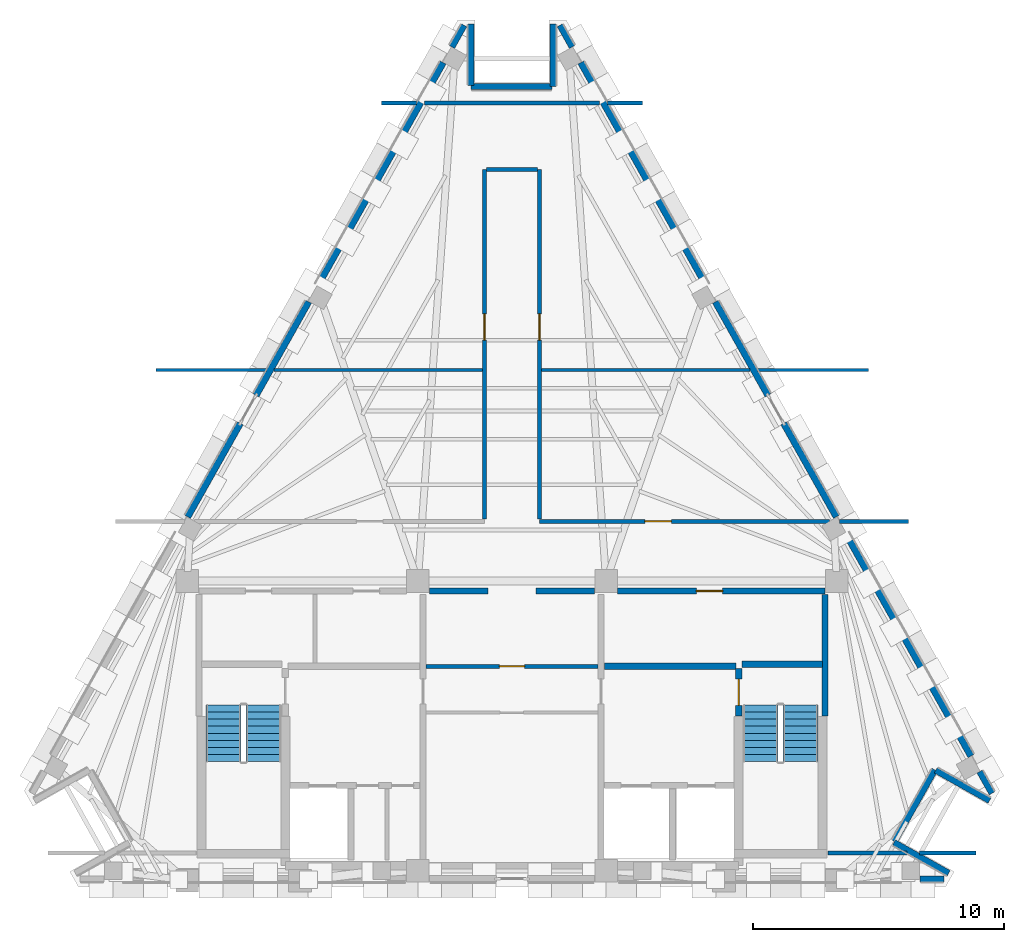
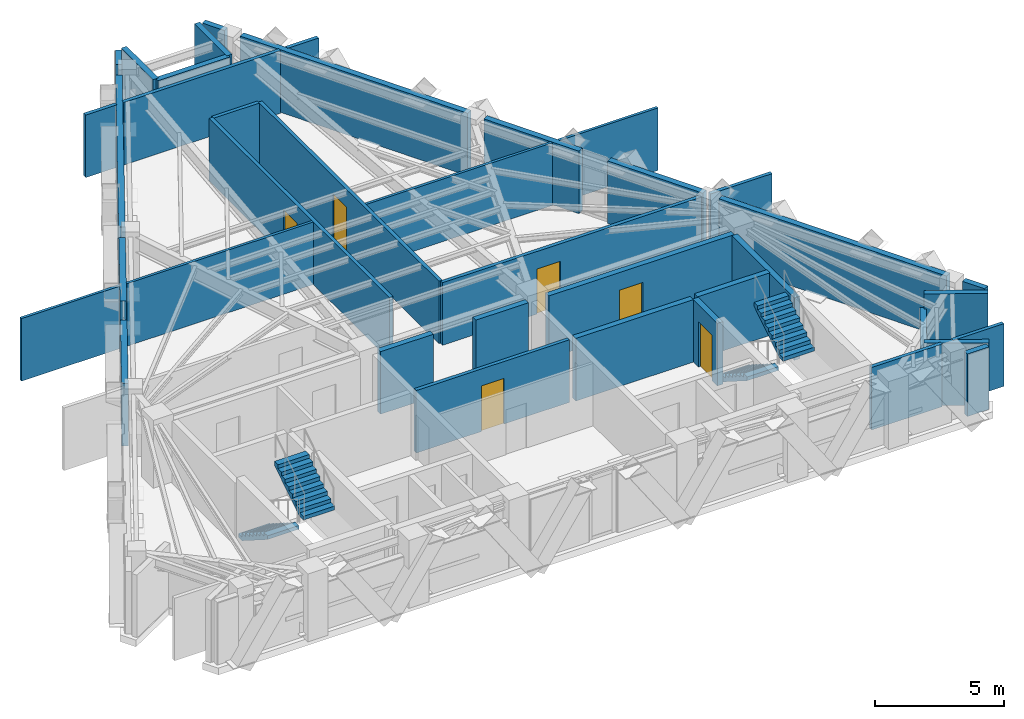
# One storey, part 5 of 7: 39 walls, 6 doors, 4 stair flights, 6 openings, 2 elements without a shape of their own.
"""IFC4 building model written with IfcOpenShell, lengths in metres."""

from ifc_helpers import new_model, si_unit, direction, frame, frame_2d, origin, place, context, subcontext, project, spatial, polyline, rectangle, outline, extrude, material, layer, layer_set, type_object, element, fill, aggregate, save


model = new_model("IFC4")

# Units and contexts
model_context = context("Model", 3, precision=1e-05, world=origin(), true_north=direction((0.0, 1.0)))
body_context = subcontext(model_context, "Body", "Model", "MODEL_VIEW")
ifc_project = project(units=[si_unit("LENGTHUNIT", "METRE"), si_unit("AREAUNIT", "SQUARE_METRE"), si_unit("VOLUMEUNIT", "CUBIC_METRE"), si_unit("PLANEANGLEUNIT", "RADIAN"), si_unit("MASSUNIT", "GRAM", prefix="KILO")], contexts=[model_context])

# Site, building, storey
site_placement = place(None, origin())
site = spatial("IfcSite", under=ifc_project, at=site_placement, CompositionType="ELEMENT")
building_placement = place(site_placement, origin())
building = spatial("IfcBuilding", under=site, at=building_placement, Name="Quenlor Broadcast Tower", CompositionType="ELEMENT")
storey_placement = place(building_placement, frame((0.0, 0.0, 280.5)))
storey = spatial("IfcBuildingStorey", under=building, at=storey_placement, Name="L78", CompositionType="ELEMENT", Elevation=280.5)

# Wall, opening, door
ifc_material_1 = material(Name="Concrete C40/50", Category="concrete")
ifc_layer_1 = layer(ifc_material_1, 0.25)
ifc_layer_set_1 = layer_set([ifc_layer_1], Name="Fire Rated Concrete C40/50 Core Wall 250")
wall_type_1 = type_object("IfcWallType", Name="Fire Rated Concrete C40/50 Core Wall 250", PredefinedType="PARTITIONING", material=ifc_layer_set_1)
wall_1_placement = place(storey_placement, frame((9.0400390625, -10.179931640625, 0.0), z_axis=(0.0, 0.0, 1.0), x_axis=(0.0, 1.0, 0.0)))
wall_1 = element("IfcWall", 1, at=wall_1_placement, inside=storey, type_object=wall_type_1, Name="L78 Interior Wall CW-ST2-DR", PredefinedType="PARTITIONING", context=body_context, shape_type="SweptSolid", body=[
    extrude(rectangle(XDim=1.89990234375, YDim=0.25, at=frame_2d((0.949951171875, 0.0))), origin(), (0.0, 0.0, 1.0), 2.949951171875),
])
opening_1_placement = place(wall_1_placement, frame((0.419921875, 0.0, 0.0)))
opening_1 = element("IfcOpeningElement", 2, at=opening_1_placement, cuts=wall_1, Name="Opening FD-1", PredefinedType="OPENING", context=body_context, shape_type="SweptSolid", body=[
    extrude(rectangle(XDim=1.050048828125, YDim=2.14990234375, at=frame_2d((0.52490234375, 1.074951171875))), frame((0.0, 0.135009765625, 0.0), z_axis=(0.0, -1.0, 0.0), x_axis=(1.0, 0.0, 0.0)), (0.0, 0.0, 1.0), 0.27001953125),
])
ifc_material_2 = material(Name="Fire Rated Steel Door Leaf", Category="steel")
door_type_1 = type_object("IfcDoorType", Name="Fire Isolated Stair Door 1050x2150", OperationType="NOTDEFINED", PredefinedType="DOOR", material=ifc_material_2)
door_1_placement = place(opening_1_placement, origin())
door_1 = element("IfcDoor", 3, at=door_1_placement, inside=storey, type_object=door_type_1, Name="L78 Door DR-ST2", OperationType="SINGLE_SWING_RIGHT", OverallHeight=2.14990234375, OverallWidth=1.050048828125, PredefinedType="DOOR", context=body_context, shape_type="SweptSolid", body=[
    extrude(rectangle(XDim=1.050048828125, YDim=2.14990234375, at=frame_2d((0.52490234375, 1.074951171875))), frame((0.0, 0.02490234375, 0.0), z_axis=(0.0, -1.0, 0.0), x_axis=(1.0, 0.0, 0.0)), (0.0, 0.0, 1.0), 0.050048828125),
])
fill(opening_1, door_1)

# Walls
wall_2_placement = place(storey_placement, frame((9.159912109375, -8.1201171875, 0.0), z_axis=(0.0, 0.0, 1.0), x_axis=(1.0, 0.0, 0.0)))
element("IfcWall", 4, at=wall_2_placement, inside=storey, type_object=wall_type_1, Name="L78 Interior Wall CW-ST2-N", PredefinedType="PARTITIONING", context=body_context, shape_type="SweptSolid", body=[
    extrude(rectangle(XDim=3.219970703125, YDim=0.25, at=frame_2d((1.60986328125, 0.0))), origin(), (0.0, 0.0, 1.0), 2.949951171875),
])
wall_3_placement = place(storey_placement, frame((12.47998046875, -10.179931640625, 0.0), z_axis=(0.0, 0.0, 1.0), x_axis=(0.0, 1.0, 0.0)))
element("IfcWall", 5, at=wall_3_placement, inside=storey, type_object=wall_type_1, Name="L78 Interior Wall CW-ST2-E2", PredefinedType="PARTITIONING", context=body_context, shape_type="SweptSolid", body=[
    extrude(rectangle(XDim=4.83984375, YDim=0.25, at=frame_2d((2.419921875, 0.0))), origin(), (0.0, 0.0, 1.0), 2.949951171875),
])
wall_4_placement = place(storey_placement, frame((3.679931640625, -8.199951171875, 0.0), z_axis=(0.0, 0.0, 1.0), x_axis=(1.0, 0.0, 0.0)))
element("IfcWall", 6, at=wall_4_placement, inside=storey, type_object=wall_type_1, Name="L78 Interior Wall CW-FFE-N", PredefinedType="PARTITIONING", context=body_context, shape_type="SweptSolid", body=[
    extrude(rectangle(XDim=5.239990234375, YDim=0.25, at=frame_2d((2.6201171875, 0.0))), origin(), (0.0, 0.0, 1.0), 2.949951171875),
])

# Wall, opening, door
wall_5_placement = place(storey_placement, frame((4.201904296875, -5.199951171875, 0.0), z_axis=(0.0, 0.0, 1.0), x_axis=(1.0, 0.0, 0.0)))
wall_5 = element("IfcWall", 7, at=wall_5_placement, inside=storey, type_object=wall_type_1, Name="L78 Interior Wall CW-N-E", PredefinedType="PARTITIONING", context=body_context, shape_type="SweptSolid", body=[
    extrude(rectangle(XDim=8.278076171875, YDim=0.25, at=frame_2d((4.13916015625, 0.0))), origin(), (0.0, 0.0, 1.0), 2.949951171875),
])
opening_2_placement = place(wall_5_placement, frame((3.14794921875, 0.0, 0.0)))
opening_2 = element("IfcOpeningElement", 8, at=opening_2_placement, cuts=wall_5, Name="Opening FD-3", PredefinedType="OPENING", context=body_context, shape_type="SweptSolid", body=[
    extrude(rectangle(XDim=1.050048828125, YDim=2.1201171875, at=frame_2d((0.52490234375, 1.06005859375))), frame((0.0, 0.135009765625, 0.0), z_axis=(0.0, -1.0, 0.0), x_axis=(1.0, 0.0, 0.0)), (0.0, 0.0, 1.0), 0.27001953125),
])
ifc_material_3 = material(Name="Galvanised Fire Steel Leaf", Category="steel")
door_type_2 = type_object("IfcDoorType", Name="Plant Room Fire Rated Door 1050x2120", OperationType="NOTDEFINED", PredefinedType="DOOR", material=ifc_material_3)
door_2_placement = place(opening_2_placement, origin())
door_2 = element("IfcDoor", 9, at=door_2_placement, inside=storey, type_object=door_type_2, Name="L78 Door DR-RCH1", OperationType="SINGLE_SWING_RIGHT", OverallHeight=2.1201171875, OverallWidth=1.050048828125, PredefinedType="DOOR", context=body_context, shape_type="SweptSolid", body=[
    extrude(rectangle(XDim=1.050048828125, YDim=2.1201171875, at=frame_2d((0.52490234375, 1.06005859375))), frame((0.0, 0.02490234375, 0.0), z_axis=(0.0, -1.0, 0.0), x_axis=(1.0, 0.0, 0.0)), (0.0, 0.0, 1.0), 0.050048828125),
])
fill(opening_2, door_2)

# Walls
for number, where, z_axis, x_axis, name in (
    (10, (-3.298095703125, -5.199951171875, 0.0), (0.0, 0.0, 1.0), (1.0, 0.0, 0.0), "L78 Interior Wall CW-N-M1"),
    (11, (0.949951171875, -5.199951171875, 0.0), (0.0, 0.0, 1.0), (1.0, 0.0, 0.0), "L78 Interior Wall CW-N-M2"),
):
    element("IfcWall", number, at=place(storey_placement, frame(where, z_axis=z_axis, x_axis=x_axis)), inside=storey, type_object=wall_type_1, Name=name, PredefinedType="PARTITIONING", context=body_context, shape_type="SweptSolid", body=[
        extrude(rectangle(XDim=2.34814453125, YDim=0.25, at=frame_2d((1.174072265625, 0.0))), origin(), (0.0, 0.0, 1.0), 2.949951171875),
    ])

# Wall, opening, door
ifc_material_4 = material(Name="Gypsum Fireboard Partition", Category="other")
ifc_layer_2 = layer(ifc_material_4, 0.159912109375)
ifc_layer_set_2 = layer_set([ifc_layer_2], Name="Fire Rated Shaft and Corridor Partition 160")
wall_type_2 = type_object("IfcWallType", Name="Fire Rated Shaft and Corridor Partition 160", PredefinedType="PARTITIONING", material=ifc_layer_set_2)
wall_6_placement = place(storey_placement, frame((-3.419921875, -8.199951171875, 0.0), z_axis=(0.0, 0.0, 1.0), x_axis=(1.0, 0.0, 0.0)))
wall_6 = element("IfcWall", 12, at=wall_6_placement, inside=storey, type_object=wall_type_2, Name="L78 Interior Wall CW-M-BACK", PredefinedType="PARTITIONING", context=body_context, shape_type="SweptSolid", body=[
    extrude(rectangle(XDim=6.83984375, YDim=0.159912109375, at=frame_2d((3.419921875, 0.0))), origin(), (0.0, 0.0, 1.0), 2.949951171875),
])
opening_3_placement = place(wall_6_placement, frame((2.919921875, 0.0, 0.0)))
opening_3 = element("IfcOpeningElement", 13, at=opening_3_placement, cuts=wall_6, Name="Opening FD-2", PredefinedType="OPENING", context=body_context, shape_type="SweptSolid", body=[
    extrude(rectangle(XDim=1.0, YDim=2.14990234375, at=frame_2d((0.5, 1.074951171875))), frame((0.0, 0.08984375, 0.0), z_axis=(0.0, -1.0, 0.0), x_axis=(1.0, 0.0, 0.0)), (0.0, 0.0, 1.0), 0.179931640625),
])
ifc_material_5 = material(Name="Fire Rated Glazed Steel Door", Category="steel")
door_type_3 = type_object("IfcDoorType", Name="Firefighting Lobby Smoke Door 1000x2150", OperationType="NOTDEFINED", PredefinedType="DOOR", material=ifc_material_5)
door_3_placement = place(opening_3_placement, origin())
door_3 = element("IfcDoor", 14, at=door_3_placement, inside=storey, type_object=door_type_3, Name="L78 Door DR-CCRP", OperationType="SINGLE_SWING_LEFT", OverallHeight=2.14990234375, OverallWidth=1.0, PredefinedType="DOOR", context=body_context, shape_type="SweptSolid", body=[
    extrude(rectangle(XDim=1.0, YDim=2.14990234375, at=frame_2d((0.5, 1.074951171875))), frame((0.0, 0.02490234375, 0.0), z_axis=(0.0, -1.0, 0.0), x_axis=(1.0, 0.0, 0.0)), (0.0, 0.0, 1.0), 0.050048828125),
])
fill(opening_3, door_3)

# Walls
wall_7_placement = place(storey_placement, frame((-5.199951171875, 14.25, 0.0), z_axis=(0.0, 0.0, 1.0), x_axis=(1.0, 0.0, 0.0)))
element("IfcWall", 15, at=wall_7_placement, inside=storey, type_object=wall_type_2, Name="L78 Interior Wall PW-PL-NTOP", PredefinedType="PARTITIONING", context=body_context, shape_type="SweptSolid", body=[
    extrude(rectangle(XDim=1.399658203125, YDim=0.159912109375, at=frame_2d((0.69970703125, 0.0))), origin(), (0.0, 0.0, 1.0), 2.949951171875),
])
wall_8_placement = place(storey_placement, frame((-3.49755859375, 14.25, 0.0), z_axis=(0.0, 0.0, 1.0), x_axis=(1.0, 0.0, 0.0)))
element("IfcWall", 16, at=wall_8_placement, inside=storey, type_object=wall_type_2, Name="L78 Interior Wall PW-PL-NTOPS2", PredefinedType="PARTITIONING", context=body_context, shape_type="SweptSolid", body=[
    extrude(rectangle(XDim=6.9951171875, YDim=0.159912109375, at=frame_2d((3.49755859375, 0.0))), origin(), (0.0, 0.0, 1.0), 2.949951171875),
])
wall_9_placement = place(storey_placement, frame((3.80029296875, 14.25, 0.0), z_axis=(0.0, 0.0, 1.0), x_axis=(1.0, 0.0, 0.0)))
element("IfcWall", 17, at=wall_9_placement, inside=storey, type_object=wall_type_2, Name="L78 Interior Wall PW-PL-NTOPS3", PredefinedType="PARTITIONING", context=body_context, shape_type="SweptSolid", body=[
    extrude(rectangle(XDim=1.399658203125, YDim=0.159912109375, at=frame_2d((0.69970703125, 0.0))), origin(), (0.0, 0.0, 1.0), 2.949951171875),
])
wall_10_placement = place(storey_placement, frame((12.60009765625, -15.64990234375, 0.0), z_axis=(0.0, 0.0, 1.0), x_axis=(1.0, 0.0, 0.0)))
element("IfcWall", 18, at=wall_10_placement, inside=storey, type_object=wall_type_2, Name="L78 Interior Wall PW-PL-SBOTE", PredefinedType="PARTITIONING", context=body_context, shape_type="SweptSolid", body=[
    extrude(rectangle(XDim=3.142822265625, YDim=0.159912109375, at=frame_2d((1.5712890625, 0.0))), origin(), (0.0, 0.0, 1.0), 2.949951171875),
])
wall_11_placement = place(storey_placement, frame((16.240478515625, -15.64990234375, 0.0), z_axis=(0.0, 0.0, 1.0), x_axis=(1.0, 0.0, 0.0)))
element("IfcWall", 19, at=wall_11_placement, inside=storey, type_object=wall_type_2, Name="L78 Interior Wall PW-PL-SBOTES2", PredefinedType="PARTITIONING", context=body_context, shape_type="SweptSolid", body=[
    extrude(rectangle(XDim=2.259521484375, YDim=0.159912109375, at=frame_2d((1.1298828125, 0.0))), origin(), (0.0, 0.0, 1.0), 2.949951171875),
])

# Wall, opening, door
wall_12_placement = place(storey_placement, frame((1.10009765625, -2.419921875, 0.0), z_axis=(0.0, 0.0, 1.0), x_axis=(1.0, 0.0, 0.0)))
wall_12 = element("IfcWall", 20, at=wall_12_placement, inside=storey, type_object=wall_type_2, Name="L78 Interior Wall PW-PL-HE", PredefinedType="PARTITIONING", context=body_context, shape_type="SweptSolid", body=[
    extrude(rectangle(XDim=11.552734375, YDim=0.159912109375, at=frame_2d((5.7763671875, 0.0))), origin(), (0.0, 0.0, 1.0), 2.949951171875),
])
opening_4_placement = place(wall_12_placement, frame((4.199951171875, 0.0, 0.0)))
opening_4 = element("IfcOpeningElement", 21, at=opening_4_placement, cuts=wall_12, Name="Opening FD-3", PredefinedType="OPENING", context=body_context, shape_type="SweptSolid", body=[
    extrude(rectangle(XDim=1.050048828125, YDim=2.1201171875, at=frame_2d((0.52490234375, 1.06005859375))), frame((0.0, 0.08984375, 0.0), z_axis=(0.0, -1.0, 0.0), x_axis=(1.0, 0.0, 0.0)), (0.0, 0.0, 1.0), 0.179931640625),
])
door_4_placement = place(opening_4_placement, origin())
door_4 = element("IfcDoor", 22, at=door_4_placement, inside=storey, type_object=door_type_2, Name="L78 Door DR-PLT2", OperationType="SINGLE_SWING_RIGHT", OverallHeight=2.1201171875, OverallWidth=1.050048828125, PredefinedType="DOOR", context=body_context, shape_type="SweptSolid", body=[
    extrude(rectangle(XDim=1.050048828125, YDim=2.1201171875, at=frame_2d((0.52490234375, 1.06005859375))), frame((0.0, 0.02490234375, 0.0), z_axis=(0.0, -1.0, 0.0), x_axis=(1.0, 0.0, 0.0)), (0.0, 0.0, 1.0), 0.050048828125),
])
fill(opening_4, door_4)

# Wall
wall_13_placement = place(storey_placement, frame((13.056884765625, -2.419921875, 0.0), z_axis=(0.0, 0.0, 1.0), x_axis=(1.0, 0.0, 0.0)))
element("IfcWall", 23, at=wall_13_placement, inside=storey, type_object=wall_type_2, Name="L78 Interior Wall PW-PL-HES2", PredefinedType="PARTITIONING", context=body_context, shape_type="SweptSolid", body=[
    extrude(rectangle(XDim=2.7431640625, YDim=0.159912109375, at=frame_2d((1.37158203125, 0.0))), origin(), (0.0, 0.0, 1.0), 2.949951171875),
])

# Wall, opening, door
wall_14_placement = place(storey_placement, frame((-1.10009765625, -2.337890625, 0.0), z_axis=(0.0, 0.0, 1.0), x_axis=(0.0, 1.0, 0.0)))
wall_14 = element("IfcWall", 24, at=wall_14_placement, inside=storey, type_object=wall_type_2, Name="L78 Interior Wall PW-PL-SW", PredefinedType="PARTITIONING", context=body_context, shape_type="SweptSolid", body=[
    extrude(rectangle(XDim=13.93798828125, YDim=0.159912109375, at=frame_2d((6.968994140625, 0.0))), origin(), (0.0, 0.0, 1.0), 2.949951171875),
])
opening_5_placement = place(wall_14_placement, frame((7.137939453125, 0.0, 0.0)))
opening_5 = element("IfcOpeningElement", 25, at=opening_5_placement, cuts=wall_14, Name="Opening FD-3", PredefinedType="OPENING", context=body_context, shape_type="SweptSolid", body=[
    extrude(rectangle(XDim=1.050048828125, YDim=2.1201171875, at=frame_2d((0.52490234375, 1.06005859375))), frame((0.0, 0.08984375, 0.0), z_axis=(0.0, -1.0, 0.0), x_axis=(1.0, 0.0, 0.0)), (0.0, 0.0, 1.0), 0.179931640625),
])
door_5_placement = place(opening_5_placement, origin())
door_5 = element("IfcDoor", 26, at=door_5_placement, inside=storey, type_object=door_type_2, Name="L78 Door DR-PLT3", OperationType="SINGLE_SWING_LEFT", OverallHeight=2.1201171875, OverallWidth=1.050048828125, PredefinedType="DOOR", context=body_context, shape_type="SweptSolid", body=[
    extrude(rectangle(XDim=1.050048828125, YDim=2.1201171875, at=frame_2d((0.52490234375, 1.06005859375))), frame((0.0, 0.02490234375, 0.0), z_axis=(0.0, -1.0, 0.0), x_axis=(1.0, 0.0, 0.0)), (0.0, 0.0, 1.0), 0.050048828125),
])
fill(opening_5, door_5)

wall_15_placement = place(storey_placement, frame((1.10009765625, -2.337890625, 0.0), z_axis=(0.0, 0.0, 1.0), x_axis=(0.0, 1.0, 0.0)))
wall_15 = element("IfcWall", 27, at=wall_15_placement, inside=storey, type_object=wall_type_2, Name="L78 Interior Wall PW-PL-SE", PredefinedType="PARTITIONING", context=body_context, shape_type="SweptSolid", body=[
    extrude(rectangle(XDim=13.93798828125, YDim=0.159912109375, at=frame_2d((6.968994140625, 0.0))), origin(), (0.0, 0.0, 1.0), 2.949951171875),
])
opening_6_placement = place(wall_15_placement, frame((7.137939453125, 0.0, 0.0)))
opening_6 = element("IfcOpeningElement", 28, at=opening_6_placement, cuts=wall_15, Name="Opening FD-3", PredefinedType="OPENING", context=body_context, shape_type="SweptSolid", body=[
    extrude(rectangle(XDim=1.050048828125, YDim=2.1201171875, at=frame_2d((0.52490234375, 1.06005859375))), frame((0.0, 0.08984375, 0.0), z_axis=(0.0, -1.0, 0.0), x_axis=(1.0, 0.0, 0.0)), (0.0, 0.0, 1.0), 0.179931640625),
])
door_6_placement = place(opening_6_placement, origin())
door_6 = element("IfcDoor", 29, at=door_6_placement, inside=storey, type_object=door_type_2, Name="L78 Door DR-PLT4", OperationType="SINGLE_SWING_RIGHT", OverallHeight=2.1201171875, OverallWidth=1.050048828125, PredefinedType="DOOR", context=body_context, shape_type="SweptSolid", body=[
    extrude(rectangle(XDim=1.050048828125, YDim=2.1201171875, at=frame_2d((0.52490234375, 1.06005859375))), frame((0.0, 0.02490234375, 0.0), z_axis=(0.0, -1.0, 0.0), x_axis=(1.0, 0.0, 0.0)), (0.0, 0.0, 1.0), 0.050048828125),
])
fill(opening_6, door_6)

# Walls
wall_16_placement = place(storey_placement, frame((-1.01806640625, 11.60009765625, 0.0), z_axis=(0.0, 0.0, 1.0), x_axis=(1.0, 0.0, 0.0)))
element("IfcWall", 30, at=wall_16_placement, inside=storey, type_object=wall_type_2, Name="L78 Interior Wall PW-PL-N", PredefinedType="PARTITIONING", context=body_context, shape_type="SweptSolid", body=[
    extrude(rectangle(XDim=2.0361328125, YDim=0.159912109375, at=frame_2d((1.01806640625, 0.0))), origin(), (0.0, 0.0, 1.0), 2.949951171875),
])
ifc_material_6 = material(Name="Gypsum Plasterboard Partition", Category="other")
ifc_layer_3 = layer(ifc_material_6, 0.1201171875)
ifc_layer_set_3 = layer_set([ifc_layer_3], Name="Standard Office Partition 120")
wall_type_3 = type_object("IfcWallType", Name="Standard Office Partition 120", PredefinedType="PARTITIONING", material=ifc_layer_set_3)
wall_17_placement = place(storey_placement, frame((-14.199951171875, 3.60009765625, 0.0), z_axis=(0.0, 0.0, 1.0), x_axis=(1.0, 0.0, 0.0)))
element("IfcWall", 31, at=wall_17_placement, inside=storey, type_object=wall_type_3, Name="L78 Interior Wall PW-PL-YW", PredefinedType="PARTITIONING", context=body_context, shape_type="SweptSolid", body=[
    extrude(rectangle(XDim=4.408935546875, YDim=0.1201171875, at=frame_2d((2.20458984375, 0.0))), origin(), (0.0, 0.0, 1.0), 2.949951171875),
])
for number, where, z_axis, x_axis, name in (
    (32, (-9.488037109375, 3.60009765625, 0.0), (0.0, 0.0, 1.0), (1.0, 0.0, 0.0), "L78 Interior Wall PW-PL-YWS2"),
    (33, (1.181884765625, 3.60009765625, 0.0), (0.0, 0.0, 1.0), (1.0, 0.0, 0.0), "L78 Interior Wall PW-PL-YE"),
):
    element("IfcWall", number, at=place(storey_placement, frame(where, z_axis=z_axis, x_axis=x_axis)), inside=storey, type_object=wall_type_3, Name=name, PredefinedType="PARTITIONING", context=body_context, shape_type="SweptSolid", body=[
        extrude(rectangle(XDim=8.30615234375, YDim=0.1201171875, at=frame_2d((4.153076171875, 0.0))), origin(), (0.0, 0.0, 1.0), 2.949951171875),
    ])
wall_18_placement = place(storey_placement, frame((9.791015625, 3.60009765625, 0.0), z_axis=(0.0, 0.0, 1.0), x_axis=(1.0, 0.0, 0.0)))
element("IfcWall", 34, at=wall_18_placement, inside=storey, type_object=wall_type_3, Name="L78 Interior Wall PW-PL-YES2", PredefinedType="PARTITIONING", context=body_context, shape_type="SweptSolid", body=[
    extrude(rectangle(XDim=4.408935546875, YDim=0.1201171875, at=frame_2d((2.20458984375, 0.0))), origin(), (0.0, 0.0, 1.0), 2.949951171875),
])
ifc_material_7 = material(Name="Precast concrete C40/50", Category="concrete")
ifc_layer_4 = layer(ifc_material_7, 0.239990234375)
ifc_layer_set_4 = layer_set([ifc_layer_4], Name="Terrace Threshold Precast Concrete C40/50 Wall 240")
wall_type_4 = type_object("IfcWallType", Name="Terrace Threshold Precast Concrete C40/50 Wall 240", PredefinedType="STANDARD", material=ifc_layer_set_4)
wall_19_placement = place(storey_placement, frame((17.219970703125, -16.675048828125, 0.0), z_axis=(0.0, 0.0, 1.0), x_axis=(-1.0, 0.0, 0.0)))
element("IfcWall", 35, at=wall_19_placement, inside=storey, type_object=wall_type_4, Name="L78 Exterior Wall L78-SHD-SS0", PredefinedType="STANDARD", context=body_context, shape_type="SweptSolid", body=[
    extrude(rectangle(XDim=0.96728515625, YDim=0.239990234375, at=frame_2d((0.483642578125, 0.0))), origin(), (0.0, 0.0, 1.0), 2.949951171875),
])
for number, where, z_axis, x_axis, name in (
    (36, (1.906005859375, 17.348388671875, 0.0), (0.0, 0.0, 1.0), (0.490261239633, -0.871575537125, 0.0), "L78 Exterior Wall L78-SHD-NES0"),
    (37, (18.639404296875, -12.39990234375, 0.0), (0.0, 0.0, 1.0), (0.490261239633, -0.871575537125, 0.0), "L78 Exterior Wall L78-SHD-NES1"),
    (38, (-2.393798828125, 16.481201171875, 0.0), (0.0, 0.0, 1.0), (0.490261239633, 0.871575537125, 0.0), "L78 Exterior Wall L78-SHD-NWS1"),
):
    element("IfcWall", number, at=place(storey_placement, frame(where, z_axis=z_axis, x_axis=x_axis)), inside=storey, type_object=wall_type_4, Name=name, PredefinedType="STANDARD", context=body_context, shape_type="SweptSolid", body=[
        extrude(rectangle(XDim=0.994873046875, YDim=0.239990234375, at=frame_2d((0.49755859375, 0.0))), origin(), (0.0, 0.0, 1.0), 2.949951171875),
    ])
wall_20_placement = place(storey_placement, frame((17.40771484375, -16.446533203125, 0.0), z_axis=(0.0, 0.0, 1.0), x_axis=(-0.871588577066, 0.490238056792, 0.0)))
element("IfcWall", 39, at=wall_20_placement, inside=storey, type_object=wall_type_4, Name="L78 Exterior Wall L78-CNR-01", PredefinedType="STANDARD", context=body_context, shape_type="SweptSolid", body=[
    extrude(rectangle(XDim=2.5, YDim=0.239990234375, at=frame_2d((1.25, 0.0))), origin(), (0.0, 0.0, 1.0), 2.949951171875),
])
wall_21_placement = place(storey_placement, frame((15.248291015625, -15.18603515625, 0.0), z_axis=(0.0, 0.0, 1.0), x_axis=(0.490293083368, 0.871557624258, 0.0)))
element("IfcWall", 40, at=wall_21_placement, inside=storey, type_object=wall_type_4, Name="L78 Exterior Wall L78-CNR-02", PredefinedType="STANDARD", context=body_context, shape_type="SweptSolid", body=[
    extrude(rectangle(XDim=3.276123046875, YDim=0.239990234375, at=frame_2d((1.63818359375, 0.0))), origin(), (0.0, 0.0, 1.0), 2.23388671875),
])
wall_22_placement = place(storey_placement, frame((16.889404296875, -12.350341796875, 0.0), z_axis=(0.0, 0.0, 1.0), x_axis=(0.87157023615, -0.490270663468, 0.0)))
element("IfcWall", 41, at=wall_22_placement, inside=storey, type_object=wall_type_4, Name="L78 Exterior Wall L78-CNR-03", PredefinedType="STANDARD", context=body_context, shape_type="SweptSolid", body=[
    extrude(rectangle(XDim=2.4599609375, YDim=0.239990234375, at=frame_2d((1.22998046875, 0.0))), origin(), (0.0, 0.0, 1.0), 2.949951171875),
])
wall_23_placement = place(storey_placement, frame((1.62890625, 17.39990234375, 0.0), z_axis=(0.0, 0.0, 1.0), x_axis=(0.0, -1.0, 0.0)))
element("IfcWall", 42, at=wall_23_placement, inside=storey, type_object=wall_type_4, Name="L78 Exterior Wall L78-CNR-07", PredefinedType="STANDARD", context=body_context, shape_type="SweptSolid", body=[
    extrude(rectangle(XDim=2.5, YDim=0.239990234375, at=frame_2d((1.25, 0.0))), origin(), (0.0, 0.0, 1.0), 2.949951171875),
])
wall_24_placement = place(storey_placement, frame((1.5888671875, 14.89990234375, 0.0), z_axis=(0.0, 0.0, 1.0), x_axis=(-1.0, 0.0, 0.0)))
element("IfcWall", 43, at=wall_24_placement, inside=storey, type_object=wall_type_4, Name="L78 Exterior Wall L78-CNR-08", PredefinedType="STANDARD", context=body_context, shape_type="SweptSolid", body=[
    extrude(rectangle(XDim=3.2177734375, YDim=0.239990234375, at=frame_2d((1.60888671875, 0.0))), origin(), (0.0, 0.0, 1.0), 2.949951171875),
])
wall_25_placement = place(storey_placement, frame((-1.62890625, 14.93994140625, 0.0), z_axis=(0.0, 0.0, 1.0), x_axis=(0.0, 1.0, 0.0)))
element("IfcWall", 44, at=wall_25_placement, inside=storey, type_object=wall_type_4, Name="L78 Exterior Wall L78-CNR-09", PredefinedType="STANDARD", context=body_context, shape_type="SweptSolid", body=[
    extrude(rectangle(XDim=2.4599609375, YDim=0.239990234375, at=frame_2d((1.22998046875, 0.0))), origin(), (0.0, 0.0, 1.0), 2.949951171875),
])
ifc_material_8 = material(Name="Precast concrete C40/50", Category="concrete")
ifc_layer_5 = layer(ifc_material_8, 0.260009765625)
ifc_layer_set_5 = layer_set([ifc_layer_5], Name="Terracotta Precast Concrete C40/50 Upper Wall 260")
wall_type_5 = type_object("IfcWallType", Name="Terracotta Precast Concrete C40/50 Upper Wall 260", PredefinedType="STANDARD", material=ifc_layer_set_5)
wall_26_placement = place(storey_placement, frame((2.741943359375, 15.862548828125, 0.0), z_axis=(0.0, 0.0, 1.0), x_axis=(0.490260105081, -0.871576175309, 0.0)))
element("IfcWall", 45, at=wall_26_placement, inside=storey, type_object=wall_type_5, Name="L78 Exterior Wall L78-EW-NEA", PredefinedType="STANDARD", context=body_context, shape_type="SweptSolid", body=[
    extrude(rectangle(XDim=10.216552734375, YDim=0.260009765625, at=frame_2d((5.1083984375, 0.0))), origin(), (0.0, 0.0, 1.0), 2.949951171875),
])
wall_27_placement = place(storey_placement, frame((13.28271484375, -2.876708984375, 0.0), z_axis=(0.0, 0.0, 1.0), x_axis=(0.490270316201, -0.871570431492, 0.0)))
element("IfcWall", 46, at=wall_27_placement, inside=storey, type_object=wall_type_5, Name="L78 Exterior Wall L78-EW-NEC", PredefinedType="STANDARD", context=body_context, shape_type="SweptSolid", body=[
    extrude(rectangle(XDim=10.21630859375, YDim=0.260009765625, at=frame_2d((5.108154296875, 0.0))), origin(), (0.0, 0.0, 1.0), 2.949951171875),
])
wall_28_placement = place(storey_placement, frame((8.106201171875, 6.326171875, 0.0), z_axis=(0.0, 0.0, 1.0), x_axis=(0.490244979871, -0.871584683041, 0.0)))
element("IfcWall", 47, at=wall_28_placement, inside=storey, type_object=wall_type_5, Name="L78 Exterior Wall L78-NE-SP1", PredefinedType="STANDARD", context=body_context, shape_type="SweptSolid", body=[
    extrude(rectangle(XDim=4.27734375, YDim=0.260009765625, at=frame_2d((2.138671875, 0.0))), origin(), (0.0, 0.0, 1.0), 2.949951171875),
])
wall_29_placement = place(storey_placement, frame((10.830322265625, 1.4833984375, 0.0), z_axis=(0.0, 0.0, 1.0), x_axis=(0.490220591932, -0.871598400209, 0.0)))
element("IfcWall", 48, at=wall_29_placement, inside=storey, type_object=wall_type_5, Name="L78 Exterior Wall L78-NE-SP2", PredefinedType="STANDARD", context=body_context, shape_type="SweptSolid", body=[
    extrude(rectangle(XDim=4.277587890625, YDim=0.260009765625, at=frame_2d((2.138671875, 0.0))), origin(), (0.0, 0.0, 1.0), 2.949951171875),
])
wall_30_placement = place(storey_placement, frame((-7.750732421875, 6.9580078125, 0.0), z_axis=(0.0, 0.0, 1.0), x_axis=(0.490260105081, 0.871576175309, 0.0)))
element("IfcWall", 49, at=wall_30_placement, inside=storey, type_object=wall_type_5, Name="L78 Exterior Wall L78-EW-NWC", PredefinedType="STANDARD", context=body_context, shape_type="SweptSolid", body=[
    extrude(rectangle(XDim=10.216552734375, YDim=0.260009765625, at=frame_2d((5.1083984375, 0.0))), origin(), (0.0, 0.0, 1.0), 2.949951171875),
])
wall_31_placement = place(storey_placement, frame((-12.92724609375, -2.244873046875, 0.0), z_axis=(0.0, 0.0, 1.0), x_axis=(0.490220591932, 0.871598400209, 0.0)))
element("IfcWall", 50, at=wall_31_placement, inside=storey, type_object=wall_type_5, Name="L78 Exterior Wall L78-NW-SP1", PredefinedType="STANDARD", context=body_context, shape_type="SweptSolid", body=[
    extrude(rectangle(XDim=4.277587890625, YDim=0.260009765625, at=frame_2d((2.138671875, 0.0))), origin(), (0.0, 0.0, 1.0), 2.949951171875),
])
wall_32_placement = place(storey_placement, frame((-10.203125, 2.59814453125, 0.0), z_axis=(0.0, 0.0, 1.0), x_axis=(0.490244979871, 0.871584683041, 0.0)))
element("IfcWall", 51, at=wall_32_placement, inside=storey, type_object=wall_type_5, Name="L78 Exterior Wall L78-NW-SP2", PredefinedType="STANDARD", context=body_context, shape_type="SweptSolid", body=[
    extrude(rectangle(XDim=4.27734375, YDim=0.260009765625, at=frame_2d((2.138671875, 0.0))), origin(), (0.0, 0.0, 1.0), 2.949951171875),
])

# Stair, stair flights
ifc_material_9 = material(Name="Precast concrete C40/50", Category="concrete")
stair_type = type_object("IfcStairType", Name="Precast Concrete C40/50 Dogleg Stair H320", PredefinedType="HALF_TURN_STAIR", material=ifc_material_9)
stair_1_placement = place(storey_placement, origin())
stair_1 = element("IfcStair", 52, at=stair_1_placement, inside=storey, type_object=stair_type, Name="L78 West Core Fire-Isolated Exit Stair ST-1", PredefinedType="HALF_TURN_STAIR")
ifc_material_10 = material(Name="Precast concrete C40/50", Category="concrete")
ifc_layer_6 = layer(ifc_material_10, 0.14990234375)
ifc_layer_set_6 = layer_set([ifc_layer_6], Name="Precast Concrete C40/50 Stair Flight H320")
stair_flight_type = type_object("IfcStairFlightType", Name="Precast Concrete C40/50 Stair Flight H320", PredefinedType="STRAIGHT", material=ifc_layer_set_6)
stair_flight_1_placement = place(storey_placement, frame((-11.5, -9.75, 0.0), z_axis=(0.0, 0.0, 1.0), x_axis=(0.0, -1.0, 0.0)))
stair_flight_1 = element("IfcStairFlight", 53, at=stair_flight_1_placement, type_object=stair_flight_type, Name="ST-1 flight 1", NumberOfRisers=9, NumberOfTreads=8, PredefinedType="STRAIGHT", RiserHeight=0.177777778, TreadLength=0.28, context=body_context, shape_type="SweptSolid", body=[
    extrude(outline(polyline([(0.0, 0.0), (0.0, 0.177734375), (0.280029296875, 0.177734375), (0.280029296875, 0.35546875), (0.56005859375, 0.35546875), (0.56005859375, 0.533447265625), (0.840087890625, 0.533447265625), (0.840087890625, 0.711181640625), (1.1201171875, 0.711181640625), (1.1201171875, 0.888916015625), (1.39990234375, 0.888916015625), (1.39990234375, 1.066650390625), (1.679931640625, 1.066650390625), (1.679931640625, 1.244384765625), (1.9599609375, 1.244384765625), (1.9599609375, 1.422119140625), (2.239990234375, 1.422119140625), (2.239990234375, 1.60009765625), (2.239990234375, 1.24462890625), (0.27978515625, 0.0), (0.0, 0.0)])), frame((0.0, 0.699951171875, 0.0), z_axis=(0.0, -1.0, 0.0), x_axis=(1.0, 0.0, 0.0)), (0.0, 0.0, 1.0), 1.39990234375),
])
stair_flight_2_placement = place(storey_placement, frame((-9.89990234375, -11.989990234375, 1.60009765625), z_axis=(0.0, 0.0, 1.0), x_axis=(0.0, 1.0, 0.0)))
stair_flight_2 = element("IfcStairFlight", 54, at=stair_flight_2_placement, type_object=stair_flight_type, Name="ST-1 flight 2", NumberOfRisers=9, NumberOfTreads=8, PredefinedType="STRAIGHT", RiserHeight=0.177777778, TreadLength=0.28, context=body_context, shape_type="SweptSolid", body=[
    extrude(outline(polyline([(0.0, 0.0), (0.0, 0.177734375), (0.280029296875, 0.177734375), (0.280029296875, 0.35546875), (0.56005859375, 0.35546875), (0.56005859375, 0.533447265625), (0.840087890625, 0.533447265625), (0.840087890625, 0.711181640625), (1.1201171875, 0.711181640625), (1.1201171875, 0.888916015625), (1.39990234375, 0.888916015625), (1.39990234375, 1.066650390625), (1.679931640625, 1.066650390625), (1.679931640625, 1.244384765625), (1.9599609375, 1.244384765625), (1.9599609375, 1.422119140625), (2.239990234375, 1.422119140625), (2.239990234375, 1.60009765625), (2.239990234375, 1.24462890625), (0.27978515625, 0.0), (0.0, 0.0)])), frame((0.0, 0.699951171875, 0.0), z_axis=(0.0, -1.0, 0.0), x_axis=(1.0, 0.0, 0.0)), (0.0, 0.0, 1.0), 1.39990234375),
])
aggregate(stair_1, [stair_flight_1, stair_flight_2])

stair_2_placement = place(storey_placement, origin())
stair_2 = element("IfcStair", 55, at=stair_2_placement, inside=storey, type_object=stair_type, Name="L78 East Core Fire-Isolated Exit Stair ST-2", PredefinedType="HALF_TURN_STAIR")
stair_flight_3_placement = place(storey_placement, frame((9.89990234375, -9.75, 0.0), z_axis=(0.0, 0.0, 1.0), x_axis=(0.0, -1.0, 0.0)))
stair_flight_3 = element("IfcStairFlight", 56, at=stair_flight_3_placement, type_object=stair_flight_type, Name="ST-2 flight 1", NumberOfRisers=9, NumberOfTreads=8, PredefinedType="STRAIGHT", RiserHeight=0.177777778, TreadLength=0.28, context=body_context, shape_type="SweptSolid", body=[
    extrude(outline(polyline([(0.0, 0.0), (0.0, 0.177734375), (0.280029296875, 0.177734375), (0.280029296875, 0.35546875), (0.56005859375, 0.35546875), (0.56005859375, 0.533447265625), (0.840087890625, 0.533447265625), (0.840087890625, 0.711181640625), (1.1201171875, 0.711181640625), (1.1201171875, 0.888916015625), (1.39990234375, 0.888916015625), (1.39990234375, 1.066650390625), (1.679931640625, 1.066650390625), (1.679931640625, 1.244384765625), (1.9599609375, 1.244384765625), (1.9599609375, 1.422119140625), (2.239990234375, 1.422119140625), (2.239990234375, 1.60009765625), (2.239990234375, 1.24462890625), (0.27978515625, 0.0), (0.0, 0.0)])), frame((0.0, 0.699951171875, 0.0), z_axis=(0.0, -1.0, 0.0), x_axis=(1.0, 0.0, 0.0)), (0.0, 0.0, 1.0), 1.39990234375),
])
stair_flight_4_placement = place(storey_placement, frame((11.5, -11.989990234375, 1.60009765625), z_axis=(0.0, 0.0, 1.0), x_axis=(0.0, 1.0, 0.0)))
stair_flight_4 = element("IfcStairFlight", 57, at=stair_flight_4_placement, type_object=stair_flight_type, Name="ST-2 flight 2", NumberOfRisers=9, NumberOfTreads=8, PredefinedType="STRAIGHT", RiserHeight=0.177777778, TreadLength=0.28, context=body_context, shape_type="SweptSolid", body=[
    extrude(outline(polyline([(0.0, 0.0), (0.0, 0.177734375), (0.280029296875, 0.177734375), (0.280029296875, 0.35546875), (0.56005859375, 0.35546875), (0.56005859375, 0.533447265625), (0.840087890625, 0.533447265625), (0.840087890625, 0.711181640625), (1.1201171875, 0.711181640625), (1.1201171875, 0.888916015625), (1.39990234375, 0.888916015625), (1.39990234375, 1.066650390625), (1.679931640625, 1.066650390625), (1.679931640625, 1.244384765625), (1.9599609375, 1.244384765625), (1.9599609375, 1.422119140625), (2.239990234375, 1.422119140625), (2.239990234375, 1.60009765625), (2.239990234375, 1.24462890625), (0.27978515625, 0.0), (0.0, 0.0)])), frame((0.0, 0.699951171875, 0.0), z_axis=(0.0, -1.0, 0.0), x_axis=(1.0, 0.0, 0.0)), (0.0, 0.0, 1.0), 1.39990234375),
])
aggregate(stair_2, [stair_flight_3, stair_flight_4])

save(model, "model.ifc")
